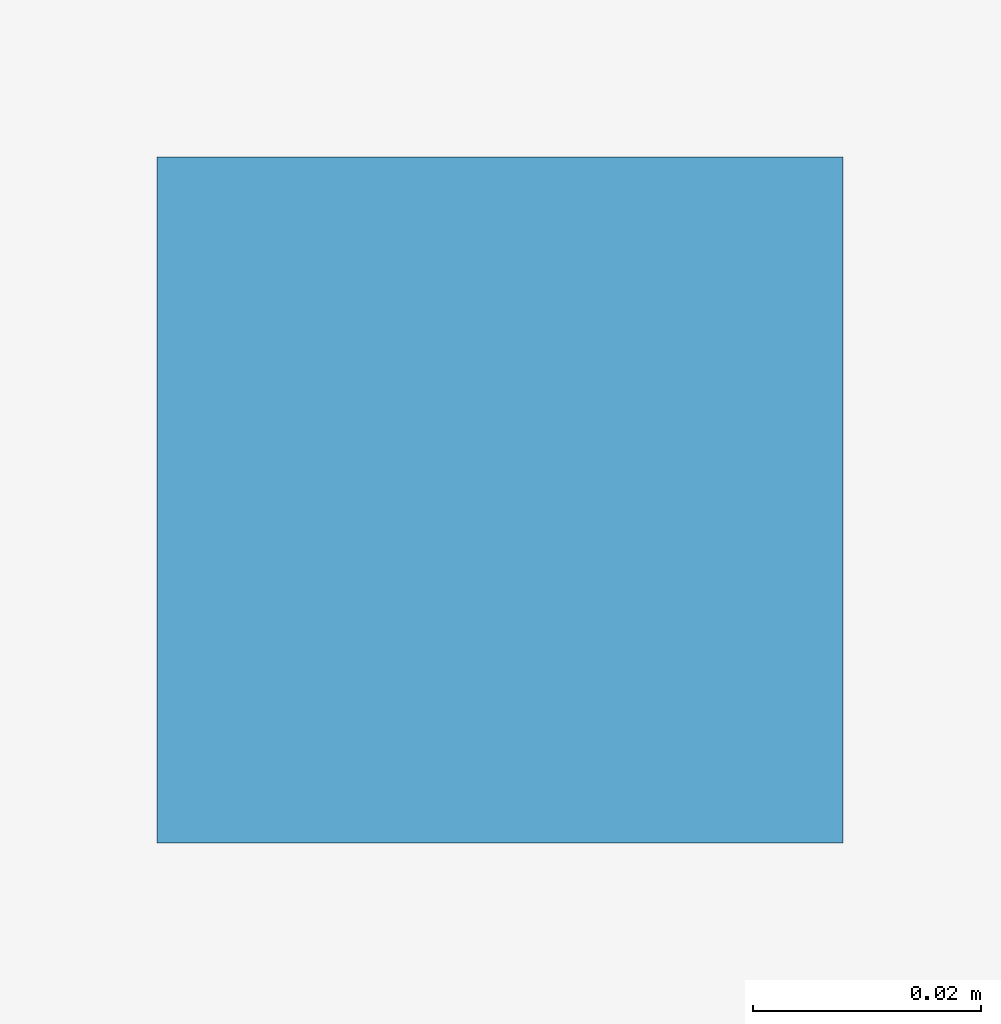
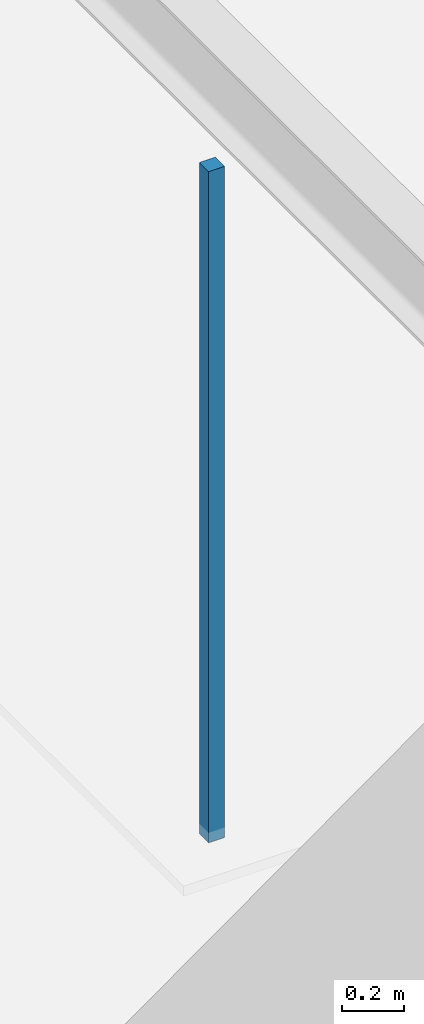
# One storey, part 98 of 129: 1 discrete accessory.
"""IFC4 building model written with IfcOpenShell, lengths in metres."""

from ifc_helpers import new_model, si_unit, direction, frame, origin, origin_2d, place, context, subcontext, project, spatial, rectangle, extrude, material, type_object, element, save


model = new_model("IFC4")

# Units and contexts
model_context = context("Model", 3, precision=1e-05, world=origin(), true_north=direction((0.0, 1.0)))
body_context = subcontext(model_context, "Body", "Model", "MODEL_VIEW")
ifc_project = project(units=[si_unit("LENGTHUNIT", "METRE"), si_unit("AREAUNIT", "SQUARE_METRE"), si_unit("VOLUMEUNIT", "CUBIC_METRE"), si_unit("PLANEANGLEUNIT", "RADIAN"), si_unit("MASSUNIT", "GRAM", prefix="KILO")], contexts=[model_context])

# Site, building, storey
site_placement = place(None, origin())
site = spatial("IfcSite", under=ifc_project, at=site_placement, CompositionType="ELEMENT")
building_placement = place(site_placement, origin())
building = spatial("IfcBuilding", under=site, at=building_placement, Name="Sundkrona Museum", CompositionType="ELEMENT")
storey_placement = place(building_placement, origin())
storey = spatial("IfcBuildingStorey", under=building, at=storey_placement, Name="L00", CompositionType="ELEMENT", Elevation=0.0)

# Discrete accessory
ifc_material = material(Name="Stainless Steel EN 1.4404 Cleat", Category="steel")
discrete_accessory_type = type_object("IfcDiscreteAccessoryType", Name="BRK-FIN-01", PredefinedType="BRACKET", material=ifc_material)
discrete_accessory_placement = place(storey_placement, frame((154.25, 6.050048828125, 2.55029296875), z_axis=(0.0, 0.0, 1.0), x_axis=(1.0, 0.0, 0.0)))
element("IfcDiscreteAccessory", 1, at=discrete_accessory_placement, inside=storey, type_object=discrete_accessory_type, Name="L00 Earth Sciences Exhibition Hall Ceiling Hanger 1", PredefinedType="BRACKET", context=body_context, shape_type="SweptSolid", body=[
    extrude(rectangle(XDim=0.06005859375, YDim=0.06005859375, at=origin_2d()), origin(), (0.0, 0.0, 1.0), 2.639892578125),
])

save(model, "model.ifc")
